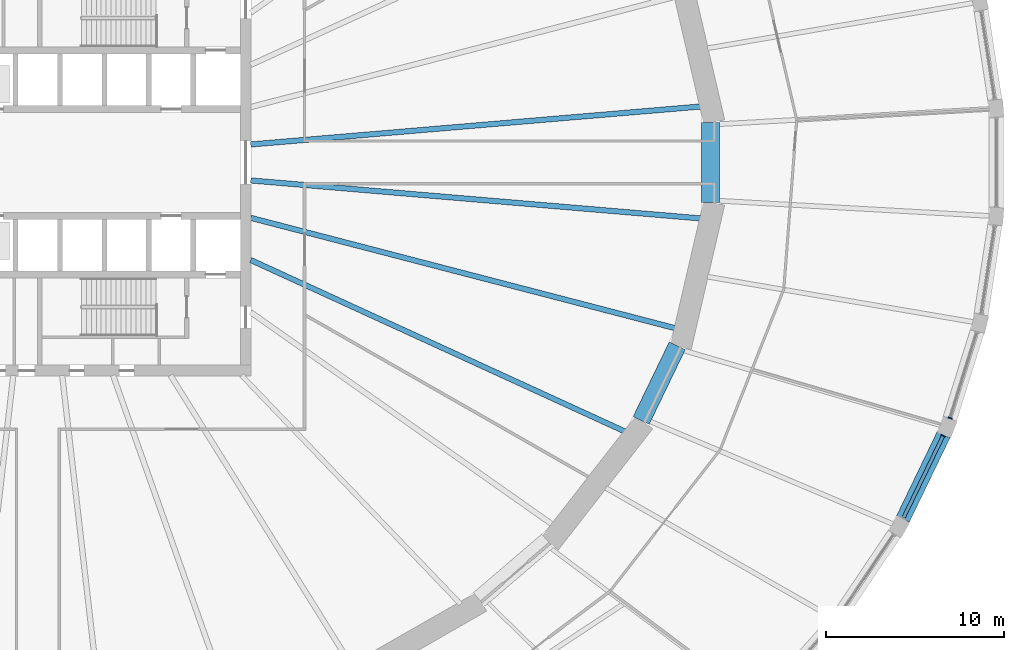
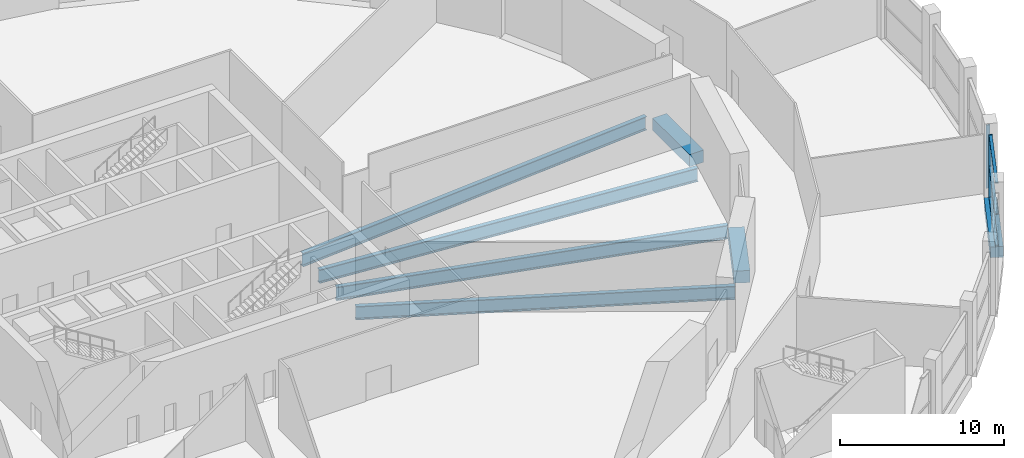
# One storey, part 9 of 29: 7 beams, 5 members, 2 elements without a shape of their own.
"""IFC4 building model written with IfcOpenShell, lengths in metres."""

from ifc_helpers import new_model, si_unit, direction, frame, origin, origin_2d, place, context, subcontext, project, spatial, rectangle, i_section, extrude, material, material_profile, profile_set, type_object, element, aggregate, save


model = new_model("IFC4")

# Units and contexts
model_context = context("Model", 3, precision=1e-05, world=origin(), true_north=direction((0.0, 1.0)))
body_context = subcontext(model_context, "Body", "Model", "MODEL_VIEW")
ifc_project = project(units=[si_unit("LENGTHUNIT", "METRE"), si_unit("AREAUNIT", "SQUARE_METRE"), si_unit("VOLUMEUNIT", "CUBIC_METRE"), si_unit("PLANEANGLEUNIT", "RADIAN"), si_unit("MASSUNIT", "GRAM", prefix="KILO")], contexts=[model_context])

# Site, building, storey
site_placement = place(None, origin())
site = spatial("IfcSite", under=ifc_project, at=site_placement, CompositionType="ELEMENT")
building_placement = place(site_placement, origin())
building = spatial("IfcBuilding", under=site, at=building_placement, Name="Halqa Exchange Tower", CompositionType="ELEMENT")
storey_placement = place(building_placement, frame((0.0, 0.0, 12.5)))
storey = spatial("IfcBuildingStorey", under=building, at=storey_placement, Name="L02", CompositionType="ELEMENT", Elevation=12.5)

# Curtain wall, member
ifc_material_1 = material(Name="Anodised aluminium and clear glass", Category="aluminium")
curtain_wall_type = type_object("IfcCurtainWallType", Name="Exchange hall glazing", PredefinedType="NOTDEFINED", material=ifc_material_1)
curtain_wall_1_placement = place(storey_placement, origin())
curtain_wall_1 = element("IfcCurtainWall", 1, at=curtain_wall_1_placement, inside=storey, type_object=curtain_wall_type, Name="Exchange hall glazing run P45", PredefinedType="NOTDEFINED")
ifc_material_2 = material(Name="Anodised aluminium", Category="aluminium")
ifc_material_profile_1 = material_profile(ifc_material_2, rectangle(XDim=0.25, YDim=0.070068359375, at=origin_2d()), Name="AL 70x250")
ifc_profile_set_1 = profile_set([ifc_material_profile_1], Name="Anodised aluminium")
member_type_1 = type_object("IfcMemberType", Name="Exchange hall glazing mullion 70 x 250", PredefinedType="MULLION", material=ifc_profile_set_1)
member_1_placement = place(storey_placement, frame((50.9013671875, -15.3642578125, 0.0), z_axis=(0.0, 0.0, 1.0), x_axis=(-0.90043534892, 0.434989864727, 0.0)))
member_1 = element("IfcMember", 2, at=member_1_placement, type_object=member_type_1, Name="P45 mullion 2", PredefinedType="MULLION", context=body_context, shape_type="SweptSolid", body=[
    extrude(rectangle(XDim=0.25, YDim=0.070068359375, at=origin_2d()), origin(), (0.0, 0.0, 1.0), 4.699951171875),
])

curtain_wall_2_placement = place(storey_placement, origin())
curtain_wall_2 = element("IfcCurtainWall", 3, at=curtain_wall_2_placement, inside=storey, type_object=curtain_wall_type, Name="Exchange hall glazing run P46", PredefinedType="NOTDEFINED")
member_2_placement = place(storey_placement, frame((51.293701171875, -14.3720703125, 0.0), z_axis=(0.0, 0.0, 1.0), x_axis=(-0.95447130463, 0.298302746613, 0.0)))
member_2 = element("IfcMember", 4, at=member_2_placement, type_object=member_type_1, Name="P46 mullion 1", PredefinedType="MULLION", context=body_context, shape_type="SweptSolid", body=[
    extrude(rectangle(XDim=0.25, YDim=0.070068359375, at=origin_2d()), origin(), (0.0, 0.0, 1.0), 4.699951171875),
])
aggregate(curtain_wall_2, [member_2])

# Member
ifc_material_profile_2 = material_profile(ifc_material_2, rectangle(XDim=0.199951171875, YDim=0.070068359375, at=origin_2d()), Name="AL 70x200")
ifc_profile_set_2 = profile_set([ifc_material_profile_2], Name="Anodised aluminium")
member_type_2 = type_object("IfcMemberType", Name="Exchange hall glazing transom 70 x 200", PredefinedType="USERDEFINED", material=ifc_profile_set_2)
member_3_placement = place(storey_placement, frame((48.678955078125, -19.96484375, 0.034912109375), z_axis=(0.434989893806, 0.900435334872, 0.0), x_axis=(-0.900435334872, 0.434989893806, 0.0)))
member_3 = element("IfcMember", 5, at=member_3_placement, type_object=member_type_2, Name="P45 transom 1.1", ObjectType="TRANSOM", PredefinedType="USERDEFINED", context=body_context, shape_type="SweptSolid", body=[
    extrude(rectangle(XDim=0.199951171875, YDim=0.070068359375, at=origin_2d()), origin(), (0.0, 0.0, 1.0), 5.07421875),
])

member_4_placement = place(storey_placement, frame((48.678955078125, -19.96484375, 2.35009765625), z_axis=(0.434989893806, 0.900435334872, 0.0), x_axis=(-0.900435334872, 0.434989893806, 0.0)))
member_4 = element("IfcMember", 6, at=member_4_placement, type_object=member_type_2, Name="P45 transom 1.2", ObjectType="TRANSOM", PredefinedType="USERDEFINED", context=body_context, shape_type="SweptSolid", body=[
    extrude(rectangle(XDim=0.199951171875, YDim=0.070068359375, at=origin_2d()), origin(), (0.0, 0.0, 1.0), 5.07421875),
])

member_5_placement = place(storey_placement, frame((48.678955078125, -19.96484375, 4.6650390625), z_axis=(0.434989893806, 0.900435334872, 0.0), x_axis=(-0.900435334872, 0.434989893806, 0.0)))
member_5 = element("IfcMember", 7, at=member_5_placement, type_object=member_type_2, Name="P45 transom 1.3", ObjectType="TRANSOM", PredefinedType="USERDEFINED", context=body_context, shape_type="SweptSolid", body=[
    extrude(rectangle(XDim=0.199951171875, YDim=0.070068359375, at=origin_2d()), origin(), (0.0, 0.0, 1.0), 5.07421875),
])

aggregate(curtain_wall_1, [member_1, member_3, member_4, member_5])

# Beams
ifc_material_3 = material(Name="Steel S355", Category="steel")
ifc_material_profile_3 = material_profile(ifc_material_3, i_section(OverallWidth=0.300048828125, OverallDepth=1.0, WebThickness=0.01904296875, FlangeThickness=0.035888671875, FilletRadius=0.030029296875, at=origin_2d()), Name="HEB 1000")
ifc_profile_set_3 = profile_set([ifc_material_profile_3], Name="Steel S355")
beam_type_1 = type_object("IfcBeamType", Name="Floor beam HEB 1000", PredefinedType="BEAM", material=ifc_profile_set_3)
beam_1_placement = place(storey_placement, frame((11.972412109375, -5.485107421875, -0.85009765625), z_axis=(0.909128229117, -0.416516341843, 0.0), x_axis=(0.416516341843, 0.909128229117, 0.0)))
element("IfcBeam", 8, at=beam_1_placement, inside=storey, type_object=beam_type_1, Name="Radial beam 30", PredefinedType="BEAM", context=body_context, shape_type="SweptSolid", body=[
    extrude(i_section(OverallWidth=0.300048828125, OverallDepth=1.0, WebThickness=0.01904296875, FlangeThickness=0.035888671875, FilletRadius=0.030029296875, at=origin_2d()), origin(), (0.0, 0.0, 1.0), 23.209228515625),
])
ifc_material_profile_4 = material_profile(ifc_material_3, i_section(OverallWidth=0.302001953125, OverallDepth=1.008056640625, WebThickness=0.02099609375, FlangeThickness=0.0400390625, FilletRadius=0.030029296875, at=origin_2d()), Name="HEM 1000")
ifc_profile_set_4 = profile_set([ifc_material_profile_4], Name="Steel S355")
beam_type_2 = type_object("IfcBeamType", Name="Floor beam HEM 1000", PredefinedType="BEAM", material=ifc_profile_set_4)
beam_2_placement = place(storey_placement, frame((11.972412109375, 1.0107421875, -0.85400390625), z_axis=(0.996455167327, 0.084125498561, 0.0), x_axis=(-0.084125498561, 0.996455167327, 0.0)))
element("IfcBeam", 9, at=beam_2_placement, inside=storey, type_object=beam_type_2, Name="Radial beam 1", PredefinedType="BEAM", context=body_context, shape_type="SweptSolid", body=[
    extrude(i_section(OverallWidth=0.302001953125, OverallDepth=1.008056640625, WebThickness=0.02099609375, FlangeThickness=0.0400390625, FilletRadius=0.030029296875, at=origin_2d()), origin(), (0.0, 0.0, 1.0), 25.460205078125),
])
beam_3_placement = place(storey_placement, frame((11.971435546875, -3.11279296875, -0.85400390625), z_axis=(0.967821064299, -0.251639399735, 0.0), x_axis=(0.251639399735, 0.967821064299, 0.0)))
element("IfcBeam", 10, at=beam_3_placement, inside=storey, type_object=beam_type_2, Name="Radial beam 31", PredefinedType="BEAM", context=body_context, shape_type="SweptSolid", body=[
    extrude(i_section(OverallWidth=0.302001953125, OverallDepth=1.008056640625, WebThickness=0.02099609375, FlangeThickness=0.0400390625, FilletRadius=0.030029296875, at=origin_2d()), origin(), (0.0, 0.0, 1.0), 24.7314453125),
])
beam_4_placement = place(storey_placement, frame((11.972412109375, -1.0107421875, -0.85400390625), z_axis=(0.996455167327, -0.084125498561, 0.0), x_axis=(0.084125498561, 0.996455167327, 0.0)))
element("IfcBeam", 11, at=beam_4_placement, inside=storey, type_object=beam_type_2, Name="Radial beam 32", PredefinedType="BEAM", context=body_context, shape_type="SweptSolid", body=[
    extrude(i_section(OverallWidth=0.302001953125, OverallDepth=1.008056640625, WebThickness=0.02099609375, FlangeThickness=0.0400390625, FilletRadius=0.030029296875, at=origin_2d()), origin(), (0.0, 0.0, 1.0), 25.460205078125),
])
ifc_material_4 = material(Name="Concrete C60/75", Category="concrete")
ifc_material_profile_5 = material_profile(ifc_material_4, rectangle(XDim=0.800048828125, YDim=0.800048828125, at=origin_2d()), Name="800 x 800")
ifc_profile_set_5 = profile_set([ifc_material_profile_5], Name="Concrete C60/75")
beam_type_3 = type_object("IfcBeamType", Name="RC podium edge beam 800 x 800 C60/75", PredefinedType="SPANDREL", material=ifc_profile_set_5)
beam_5_placement = place(storey_placement, frame((48.636962890625, -20.052001953125, -0.39990234375), z_axis=(0.43497328232, 0.9004433595, 0.0), x_axis=(-0.9004433595, 0.43497328232, 0.0)))
element("IfcBeam", 12, at=beam_5_placement, inside=storey, type_object=beam_type_3, Name="Podium edge beam 45", PredefinedType="SPANDREL", context=body_context, shape_type="SweptSolid", body=[
    extrude(rectangle(XDim=0.800048828125, YDim=0.800048828125, at=origin_2d()), origin(), (0.0, 0.0, 1.0), 5.267578125),
])
ifc_material_profile_6 = material_profile(ifc_material_4, rectangle(XDim=1.0, YDim=0.89990234375, at=origin_2d()), Name="1000 x 900")
ifc_profile_set_6 = profile_set([ifc_material_profile_6], Name="Concrete C60/75")
beam_type_4 = type_object("IfcBeamType", Name="RC spandrel beam 1000 x 900 C60/75", PredefinedType="SPANDREL", material=ifc_profile_set_6)
beam_6_placement = place(storey_placement, frame((33.923095703125, -14.505615234375, -0.449951171875), z_axis=(0.435068215878, 0.900397494184, 0.0), x_axis=(-0.900397494184, 0.435068215878, 0.0)))
element("IfcBeam", 13, at=beam_6_placement, inside=storey, type_object=beam_type_4, Name="Spandrel 30", PredefinedType="SPANDREL", context=body_context, shape_type="SweptSolid", body=[
    extrude(rectangle(XDim=1.0, YDim=0.89990234375, at=origin_2d()), origin(), (0.0, 0.0, 1.0), 4.6630859375),
])
beam_7_placement = place(storey_placement, frame((37.81689453125, -2.24609375, -0.449951171875), z_axis=(0.0, 1.0, 0.0), x_axis=(-1.0, 0.0, 0.0)))
element("IfcBeam", 14, at=beam_7_placement, inside=storey, type_object=beam_type_4, Name="Spandrel 32", PredefinedType="SPANDREL", context=body_context, shape_type="SweptSolid", body=[
    extrude(rectangle(XDim=1.0, YDim=0.89990234375, at=origin_2d()), origin(), (0.0, 0.0, 1.0), 4.4921875),
])

save(model, "model.ifc")
